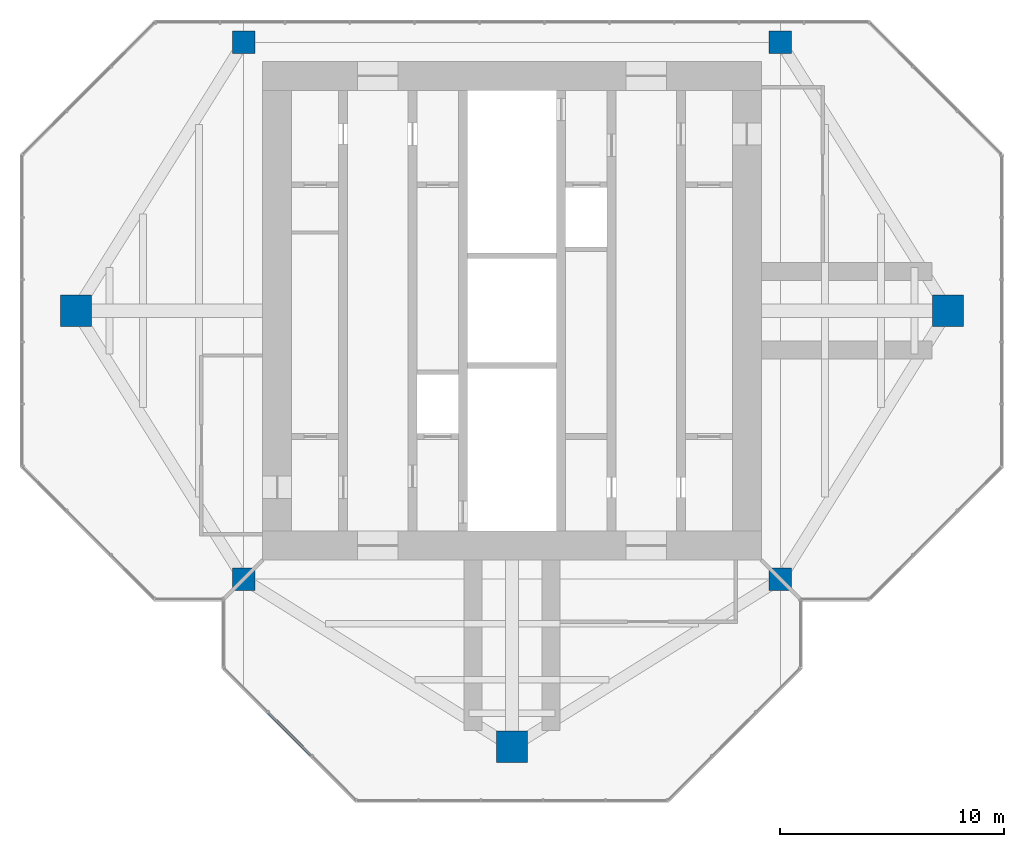
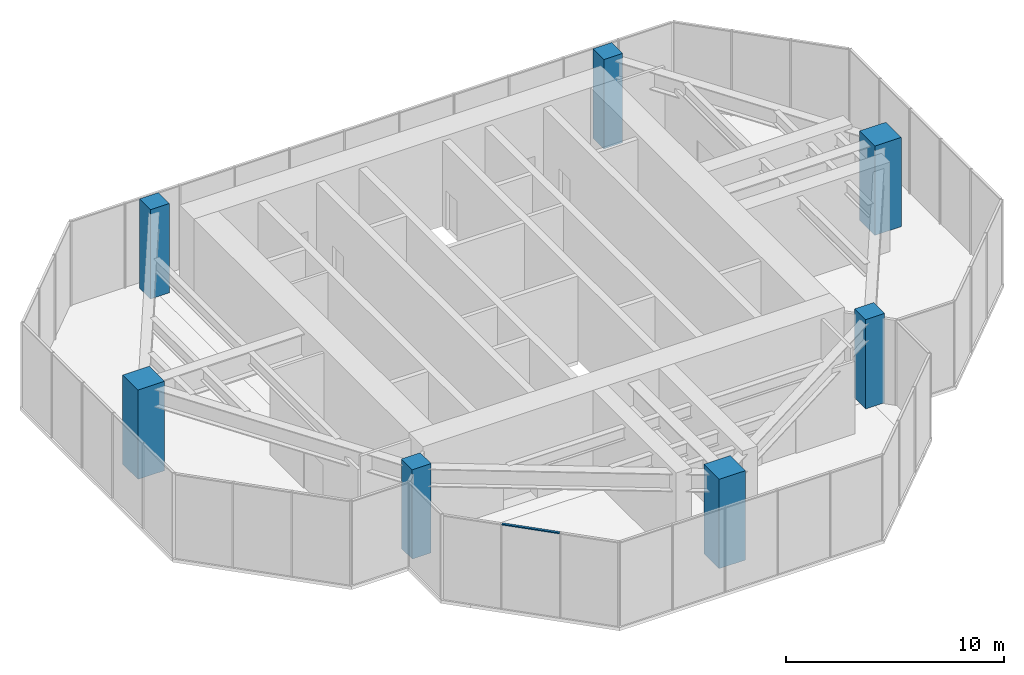
# One storey, part 1 of 10: 7 columns, 1 member, 1 element without a shape of its own.
"""IFC4 building model written with IfcOpenShell, lengths in metres."""

from ifc_helpers import new_model, si_unit, direction, frame, origin, origin_2d, place, context, subcontext, project, spatial, rectangle, extrude, material, material_profile, profile_set, type_object, element, aggregate, save


model = new_model("IFC4")

# Units and contexts
model_context = context("Model", 3, precision=1e-05, world=origin(), true_north=direction((0.0, 1.0)))
body_context = subcontext(model_context, "Body", "Model", "MODEL_VIEW")
ifc_project = project(units=[si_unit("LENGTHUNIT", "METRE"), si_unit("AREAUNIT", "SQUARE_METRE"), si_unit("VOLUMEUNIT", "CUBIC_METRE"), si_unit("PLANEANGLEUNIT", "RADIAN"), si_unit("MASSUNIT", "GRAM", prefix="KILO")], contexts=[model_context])

# Site, building, storey
site_placement = place(None, origin())
site = spatial("IfcSite", under=ifc_project, at=site_placement, CompositionType="ELEMENT")
building_placement = place(site_placement, origin())
building = spatial("IfcBuilding", under=site, at=building_placement, Name="Mizan Broadcast Tower", CompositionType="ELEMENT")
storey_placement = place(building_placement, frame((0.0, 0.0, 311.300048828125)))
storey = spatial("IfcBuildingStorey", under=building, at=storey_placement, Name="L74", CompositionType="ELEMENT", Elevation=311.300048828125)

# Columns
ifc_material_1 = material(Name="Concrete C70/85", Category="concrete")
ifc_material_profile_1 = material_profile(ifc_material_1, rectangle(XDim=1.0, YDim=1.0, at=origin_2d()), Name="RC 1000x1000")
ifc_profile_set_1 = profile_set([ifc_material_profile_1], Name="Concrete C70/85")
column_type_1 = type_object("IfcColumnType", Name="RC COLUMN 1000x1000 C70/85", PredefinedType="COLUMN", material=ifc_profile_set_1)
for number, where, z_axis, x_axis, name in (
    (1, (-12.0, -12.0, 0.0), (0.0, 0.0, 1.0), (1.0, 0.0, 0.0), "Column 4/D L74"),
    (2, (12.0, -12.0, 0.0), (0.0, 0.0, 1.0), (1.0, 0.0, 0.0), "Column 8/D L74"),
    (3, (-12.0, 12.0, 0.0), (0.0, 0.0, 1.0), (1.0, 0.0, 0.0), "Column 4/H L74"),
    (4, (12.0, 12.0, 0.0), (0.0, 0.0, 1.0), (1.0, 0.0, 0.0), "Column 8/H L74"),
):
    element("IfcColumn", number, at=place(storey_placement, frame(where, z_axis=z_axis, x_axis=x_axis)), inside=storey, type_object=column_type_1, Name=name, PredefinedType="COLUMN", context=body_context, shape_type="SweptSolid", body=[
        extrude(rectangle(XDim=1.0, YDim=1.0, at=origin_2d()), origin(), (0.0, 0.0, 1.0), 5.0),
    ])
ifc_material_2 = material(Name="Concrete C70/85", Category="concrete")
ifc_material_profile_2 = material_profile(ifc_material_2, rectangle(XDim=1.39990234375, YDim=1.39990234375, at=origin_2d()), Name="RC 1400x1400")
ifc_profile_set_2 = profile_set([ifc_material_profile_2], Name="Concrete C70/85")
column_type_2 = type_object("IfcColumnType", Name="RC COLUMN 1400x1400 C70/85", PredefinedType="COLUMN", material=ifc_profile_set_2)
for number, where, z_axis, x_axis, name in (
    (5, (0.0, -19.5, 0.0), (0.0, 0.0, 1.0), (1.0, 0.0, 0.0), "Column 6/C L74"),
    (6, (-19.5, 0.0, 0.0), (0.0, 0.0, 1.0), (1.0, 0.0, 0.0), "Column 3/F L74"),
    (7, (19.5, 0.0, 0.0), (0.0, 0.0, 1.0), (1.0, 0.0, 0.0), "Column 9/F L74"),
):
    element("IfcColumn", number, at=place(storey_placement, frame(where, z_axis=z_axis, x_axis=x_axis)), inside=storey, type_object=column_type_2, Name=name, PredefinedType="COLUMN", context=body_context, shape_type="SweptSolid", body=[
        extrude(rectangle(XDim=1.39990234375, YDim=1.39990234375, at=origin_2d()), origin(), (0.0, 0.0, 1.0), 5.0),
    ])

# Curtain wall, member
ifc_material_3 = material(Name="Aluminium framed glazing", Category="aluminium")
curtain_wall_type = type_object("IfcCurtainWallType", Name="LANTERN", PredefinedType="USERDEFINED", material=ifc_material_3)
curtain_wall_placement = place(storey_placement, origin())
curtain_wall = element("IfcCurtainWall", 8, at=curtain_wall_placement, inside=storey, type_object=curtain_wall_type, Name="Lantern L74 S chamfer", ObjectType="LANTERN", PredefinedType="USERDEFINED")
ifc_material_4 = material(Name="Aluminium, pale anodised", Category="aluminium")
ifc_material_profile_3 = material_profile(ifc_material_4, rectangle(XDim=0.1201171875, YDim=0.06005859375, at=origin_2d()), Name="TRANSOM 120x60")
ifc_profile_set_3 = profile_set([ifc_material_profile_3], Name="Aluminium, pale anodised")
member_type = type_object("IfcMemberType", Name="INNER SKIN TRANSOM 60x120", PredefinedType="USERDEFINED", material=ifc_profile_set_3)
member_placement = place(storey_placement, frame((-10.898193359375, -17.960205078125, 4.719970703125), z_axis=(0.707106781187, -0.707106781187, 0.0), x_axis=(0.707106781187, 0.707106781187, 0.0)))
member = element("IfcMember", 9, at=member_placement, type_object=member_type, Name="Lantern L74 S chamfer transom 2.1", ObjectType="TRANSOM", PredefinedType="USERDEFINED", context=body_context, shape_type="SweptSolid", body=[
    extrude(rectangle(XDim=0.1201171875, YDim=0.06005859375, at=origin_2d()), origin(), (0.0, 0.0, 1.0), 2.74072265625),
])
aggregate(curtain_wall, [member])

save(model, "model.ifc")
